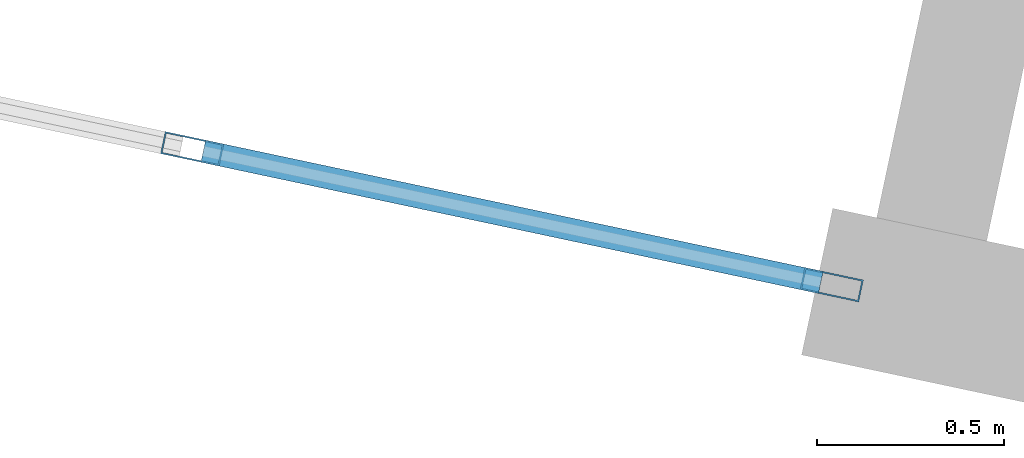
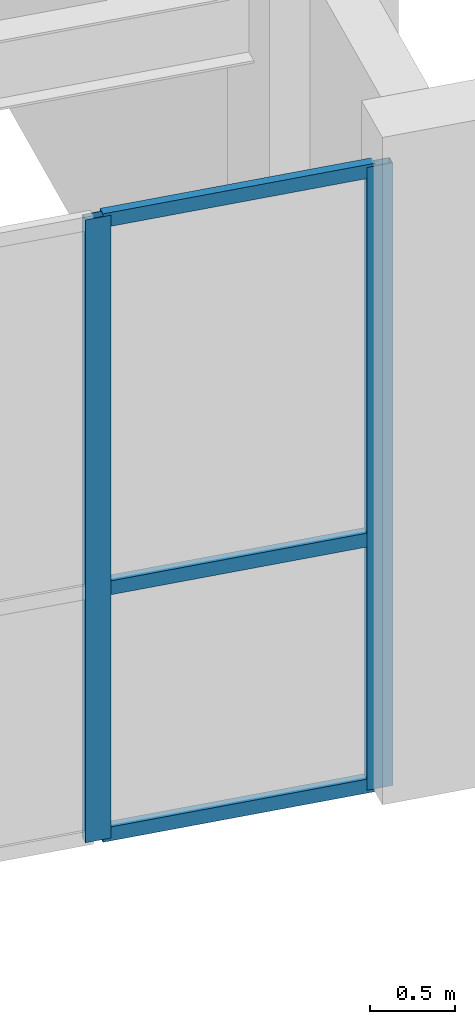
# One storey, part 58 of 182: 5 members, 1 element without a shape of its own.
"""IFC4 building model written with IfcOpenShell, lengths in metres."""

import ifcopenshell
import ifcopenshell.guid

model = None  # the IFC model being written
_history = None  # IfcOwnerHistory: only IFC2X3 demands one
_inside = {}  # id of a spatial element -> (the spatial element, [elements in it])
_under = {}  # id of a project, library or spatial element -> (it, [spatial elements below it])
_declared = {}  # id of a project -> (the project, [libraries it declares])
_typed = {}  # id of a type object -> (the type object, [elements of that type])
_made_of = {}  # id of a material, layer set ... -> (it, [elements and type objects made of it])


def new_model(schema):
    """Start an empty IFC model of exactly this schema.

    Asked for "IFC4X3", IfcOpenShell would pick the latest addendum, in which some entities
    have other attributes; the version numbers below select the first issue.
    IFC2X3 requires an IfcOwnerHistory on every rooted entity: one is made here for all.
    """
    global model, _history
    if schema == "IFC4X3":
        model = ifcopenshell.file(schema_version=(4, 3, 0, 0))
    else:
        model = ifcopenshell.file(schema=schema)
    _inside.clear()
    _under.clear()
    _declared.clear()
    _typed.clear()
    _made_of.clear()
    _history = None
    if model.schema == "IFC2X3":
        org = make("IfcOrganization", Name="unknown")
        user = make(
            "IfcPersonAndOrganization",
            ThePerson=make("IfcPerson", FamilyName="unknown"),
            TheOrganization=org,
        )
        app = make(
            "IfcApplication",
            ApplicationDeveloper=org,
            Version="unknown",
            ApplicationFullName="unknown",
            ApplicationIdentifier="unknown",
        )
        _history = make(
            "IfcOwnerHistory",
            OwningUser=user,
            OwningApplication=app,
            ChangeAction="ADDED",
            CreationDate=0,
        )
    return model


def make(cls, **values):
    """One entity of the class cls with the attributes given. An attribute that is None is left unset."""
    return model.create_entity(
        cls, **{name: value for name, value in values.items() if value is not None}
    )


def rooted(cls, **values):
    """An entity with a GlobalId (a new one), such as an element, a storey or a relation."""
    return make(cls, GlobalId=ifcopenshell.guid.new(), OwnerHistory=_history, **values)


def si_unit(unit_type, name, prefix=None):
    """IfcSIUnit, for example si_unit("LENGTHUNIT", "METRE", prefix="MILLI")."""
    return make("IfcSIUnit", UnitType=unit_type, Prefix=prefix, Name=name)


def assignment(units):
    """IfcUnitAssignment: the units of a project."""
    return None if units is None else make("IfcUnitAssignment", Units=units)


def point(xyz):
    """IfcCartesianPoint."""
    return None if xyz is None else make("IfcCartesianPoint", Coordinates=xyz)


def direction(xyz):
    """IfcDirection."""
    return None if xyz is None else make("IfcDirection", DirectionRatios=xyz)


def frame(location, z_axis=None, x_axis=None):
    """IfcAxis2Placement3D, a coordinate frame: its origin and axes. An axis left out is left unset."""
    return make(
        "IfcAxis2Placement3D",
        Location=point(location),
        Axis=direction(z_axis),
        RefDirection=direction(x_axis),
    )


def frame_2d(location, x_axis=None):
    """IfcAxis2Placement2D, a coordinate frame in the plane: its origin and x axis."""
    return make(
        "IfcAxis2Placement2D", Location=point(location), RefDirection=direction(x_axis)
    )


def origin():
    """The frame at (0, 0, 0) with its axes left unset."""
    return frame((0.0, 0.0, 0.0))


def origin_2d():
    """The frame at (0, 0) in the plane with its x axis left unset."""
    return frame_2d((0.0, 0.0))


def place(relative_to, where):
    """IfcLocalPlacement: puts the frame where relative to a parent placement (None: the world)."""
    return make(
        "IfcLocalPlacement", PlacementRelTo=relative_to, RelativePlacement=where
    )


def context(
    kind, dimensions, precision=None, world=None, true_north=None, identifier=None
):
    """IfcGeometricRepresentationContext, for example the 3D "Model" context."""
    return make(
        "IfcGeometricRepresentationContext",
        ContextIdentifier=identifier,
        ContextType=kind,
        CoordinateSpaceDimension=dimensions,
        Precision=precision,
        WorldCoordinateSystem=world,
        TrueNorth=true_north,
    )


def subcontext(parent, identifier, kind, view, scale=None):
    """IfcGeometricRepresentationSubContext, for example "Body" below "Model"."""
    return make(
        "IfcGeometricRepresentationSubContext",
        ContextIdentifier=identifier,
        ContextType=kind,
        ParentContext=parent,
        TargetScale=scale,
        TargetView=view,
    )


def project(units=None, contexts=None):
    """IfcProject with its units and contexts."""
    return rooted(
        "IfcProject",
        Name="project",
        RepresentationContexts=contexts,
        UnitsInContext=assignment(units),
    )


def spatial(cls, under=None, at=None, **own):
    """A site, building, storey or space (cls), placed at a placement, below another one or the project."""
    s = rooted(cls, ObjectPlacement=at, **own)
    if under is not None:
        _under.setdefault(under.id(), (under, []))[1].append(s)
    return s


def profile(cls, at=None, kind="AREA", **sizes):
    """A parametric profile (cls). Its sizes go by their IFC names, for example OverallWidth=200.0."""
    return make(cls, ProfileType=kind, Position=at, **sizes)


def hollow_rectangle(**sizes):
    """IfcRectangleHollowProfileDef."""
    return profile("IfcRectangleHollowProfileDef", **sizes)


def extrude(swept, where, along, depth):
    """IfcExtrudedAreaSolid: the profile swept, set in the frame where, extruded along a direction by depth."""
    return make(
        "IfcExtrudedAreaSolid",
        SweptArea=swept,
        Position=where,
        ExtrudedDirection=direction(along),
        Depth=depth,
    )


def shape(context_of_items, identifier, shape_type, items):
    """IfcShapeRepresentation: the items that make up one representation, for example the "Body"."""
    return make(
        "IfcShapeRepresentation",
        ContextOfItems=context_of_items,
        RepresentationIdentifier=identifier,
        RepresentationType=shape_type,
        Items=items,
    )


def material(Name=None, Category=None):
    """IfcMaterial."""
    return make("IfcMaterial", Name=Name, Category=Category)


def material_profile(
    of_material, cross_section, Name=None, Category=None, Priority=None
):
    """IfcMaterialProfile: a cross section and its material."""
    return make(
        "IfcMaterialProfile",
        Name=Name,
        Material=of_material,
        Profile=cross_section,
        Priority=Priority,
        Category=Category,
    )


def profile_set(profiles, Name=None, composite=None):
    """IfcMaterialProfileSet."""
    return make(
        "IfcMaterialProfileSet",
        Name=Name,
        MaterialProfiles=profiles,
        CompositeProfile=composite,
    )


def made_of(thing, what):
    """Note that an element or type object is made of a material, layer set ...; save() writes the relation."""
    if what is not None:
        _made_of.setdefault(what.id(), (what, []))[1].append(thing)
    return thing


def type_object(cls, material=None, **own):
    """A type object (cls), such as IfcWallType, which elements share."""
    return made_of(rooted(cls, **own), material)


def element(
    cls,
    number,
    at=None,
    inside=None,
    cuts=None,
    type_object=None,
    material=None,
    context=None,
    identifier="Body",
    shape_type=None,
    held_by="IfcProductDefinitionShape",
    body=None,
    shapes=None,
    **own,
):
    """One element of the class cls, such as IfcWall. Its Tag is "e" and its number.

    at: its placement. inside: the storey or other place that contains it. cuts: it is an
    opening in that element (IfcRelVoidsElement). A single representation is given by context,
    identifier, shape_type and body (its items); several are given by shapes. held_by: the class
    of the entity that holds the representations. save() writes the other relations.
    """
    e = rooted(cls, Tag="e%d" % number, ObjectPlacement=at, **own)
    if body is not None:
        shapes = [shape(context, identifier, shape_type, body)]
    if shapes is not None:
        e.Representation = make(held_by, Representations=shapes)
    if inside is not None:
        _inside.setdefault(inside.id(), (inside, []))[1].append(e)
    if cuts is not None:
        rooted(
            "IfcRelVoidsElement", RelatingBuildingElement=cuts, RelatedOpeningElement=e
        )
    if type_object is not None:
        _typed.setdefault(type_object.id(), (type_object, []))[1].append(e)
    return made_of(e, material)


def aggregate(whole, parts):
    """IfcRelAggregates: a whole, such as a stair, and the parts it consists of."""
    return rooted("IfcRelAggregates", RelatingObject=whole, RelatedObjects=parts)


def save(model, path):
    """Write the relations noted so far, then the file.

    IfcRelAggregates (storeys below a building ...), IfcRelContainedInSpatialStructure (elements
    in a storey), IfcRelDefinesByType, IfcRelAssociatesMaterial and IfcRelDeclares: one each for
    every whole, place, type object, material and project.
    """
    for whole, parts in _under.values():
        aggregate(whole, parts)
    for where, things in _inside.values():
        rooted(
            "IfcRelContainedInSpatialStructure",
            RelatedElements=things,
            RelatingStructure=where,
        )
    for kind, things in _typed.values():
        rooted("IfcRelDefinesByType", RelatedObjects=things, RelatingType=kind)
    for what, things in _made_of.values():
        rooted("IfcRelAssociatesMaterial", RelatedObjects=things, RelatingMaterial=what)
    for by, libraries in _declared.values():
        rooted("IfcRelDeclares", RelatingContext=by, RelatedDefinitions=libraries)
    model.write(path)


model = new_model("IFC4")

# Units and contexts
model_context = context("Model", 3, precision=1e-05, world=origin(), true_north=direction((0.0, 1.0)))
body_context = subcontext(model_context, "Body", "Model", "MODEL_VIEW")
ifc_project = project(units=[si_unit("LENGTHUNIT", "METRE"), si_unit("AREAUNIT", "SQUARE_METRE"), si_unit("VOLUMEUNIT", "CUBIC_METRE"), si_unit("PLANEANGLEUNIT", "RADIAN"), si_unit("MASSUNIT", "GRAM", prefix="KILO")], contexts=[model_context])

# Site, building, storey
site_placement = place(None, origin())
site = spatial("IfcSite", under=ifc_project, at=site_placement, CompositionType="ELEMENT")
building_placement = place(site_placement, origin())
building = spatial("IfcBuilding", under=site, at=building_placement, Name="Okhra Congress Centre", CompositionType="ELEMENT")
storey_placement = place(building_placement, frame((0.0, 0.0, 7.199951171875)))
storey = spatial("IfcBuildingStorey", under=building, at=storey_placement, Name="L01", CompositionType="ELEMENT", Elevation=7.199951171875)

# Curtain wall, members
ifc_material_1 = material(Name="Aluminium curtain wall, triple glazing", Category="aluminium")
curtain_wall_type = type_object("IfcCurtainWallType", Name="Curtain wall 1775 module", PredefinedType="NOTDEFINED", material=ifc_material_1)
curtain_wall_placement = place(storey_placement, origin())
curtain_wall = element("IfcCurtainWall", 1, at=curtain_wall_placement, inside=storey, type_object=curtain_wall_type, Name="Foyer south upper glazing", PredefinedType="NOTDEFINED")
ifc_material_2 = material(Name="Aluminium alloy EN AW-6063 T66", Category="aluminium")
ifc_material_profile_1 = material_profile(ifc_material_2, hollow_rectangle(XDim=0.06005859375, YDim=0.159912109375, WallThickness=0.00390625, at=origin_2d()), Name="RHS 60x160x4")
ifc_profile_set_1 = profile_set([ifc_material_profile_1], Name="Aluminium alloy EN AW-6063 T66")
member_type_1 = type_object("IfcMemberType", Name="Curtain wall mullion 60x160", PredefinedType="MULLION", material=ifc_profile_set_1)
member_1_placement = place(storey_placement, frame((197.6123046875, 94.177490234375, 0.0), z_axis=(0.0, 0.0, 1.0), x_axis=(0.207911690818, 0.978147600734, 0.0)))
member_1 = element("IfcMember", 2, at=member_1_placement, type_object=member_type_1, Name="CW5 mullion 2", PredefinedType="MULLION", context=body_context, shape_type="SweptSolid", body=[
    extrude(hollow_rectangle(XDim=0.06005859375, YDim=0.159912109375, WallThickness=0.00390625, at=origin_2d()), origin(), (0.0, 0.0, 1.0), 4.47998046875),
])
member_2_placement = place(storey_placement, frame((199.3193359375, 93.814697265625, 0.0), z_axis=(0.0, 0.0, 1.0), x_axis=(0.207911690818, 0.978147600734, 0.0)))
member_2 = element("IfcMember", 3, at=member_2_placement, type_object=member_type_1, Name="CW5 mullion 3", PredefinedType="MULLION", context=body_context, shape_type="SweptSolid", body=[
    extrude(hollow_rectangle(XDim=0.06005859375, YDim=0.159912109375, WallThickness=0.00390625, at=origin_2d()), origin(), (0.0, 0.0, 1.0), 4.47998046875),
])
ifc_material_profile_2 = material_profile(ifc_material_2, hollow_rectangle(XDim=0.06005859375, YDim=0.10009765625, WallThickness=0.00390625, at=origin_2d()), Name="RHS 60x100x4")
ifc_profile_set_2 = profile_set([ifc_material_profile_2], Name="Aluminium alloy EN AW-6063 T66")
member_type_2 = type_object("IfcMemberType", Name="Curtain wall transom 60x100", PredefinedType="USERDEFINED", material=ifc_profile_set_2)
member_3_placement = place(storey_placement, frame((197.641845703125, 94.171142578125, 0.030029296875), z_axis=(0.978146697532, -0.207915940003, 0.0), x_axis=(0.207915940003, 0.978146697532, 0.0)))
member_3 = element("IfcMember", 4, at=member_3_placement, type_object=member_type_2, Name="CW5 transom 2.1", ObjectType="TRANSOM", PredefinedType="USERDEFINED", context=body_context, shape_type="SweptSolid", body=[
    extrude(hollow_rectangle(XDim=0.06005859375, YDim=0.10009765625, WallThickness=0.00390625, at=origin_2d()), origin(), (0.0, 0.0, 1.0), 1.68505859375),
])
member_4_placement = place(storey_placement, frame((197.641845703125, 94.171142578125, 1.800048828125), z_axis=(0.978146697532, -0.207915940003, 0.0), x_axis=(0.207915940003, 0.978146697532, 0.0)))
member_4 = element("IfcMember", 5, at=member_4_placement, type_object=member_type_2, Name="CW5 transom 2.2", ObjectType="TRANSOM", PredefinedType="USERDEFINED", context=body_context, shape_type="SweptSolid", body=[
    extrude(hollow_rectangle(XDim=0.06005859375, YDim=0.10009765625, WallThickness=0.00390625, at=origin_2d()), origin(), (0.0, 0.0, 1.0), 1.68505859375),
])
member_5_placement = place(storey_placement, frame((197.641845703125, 94.171142578125, 4.449951171875), z_axis=(0.978146697532, -0.207915940003, 0.0), x_axis=(0.207915940003, 0.978146697532, 0.0)))
member_5 = element("IfcMember", 6, at=member_5_placement, type_object=member_type_2, Name="CW5 transom 2.3", ObjectType="TRANSOM", PredefinedType="USERDEFINED", context=body_context, shape_type="SweptSolid", body=[
    extrude(hollow_rectangle(XDim=0.06005859375, YDim=0.10009765625, WallThickness=0.00390625, at=origin_2d()), origin(), (0.0, 0.0, 1.0), 1.68505859375),
])
aggregate(curtain_wall, [member_1, member_2, member_3, member_4, member_5])

save(model, "model.ifc")
